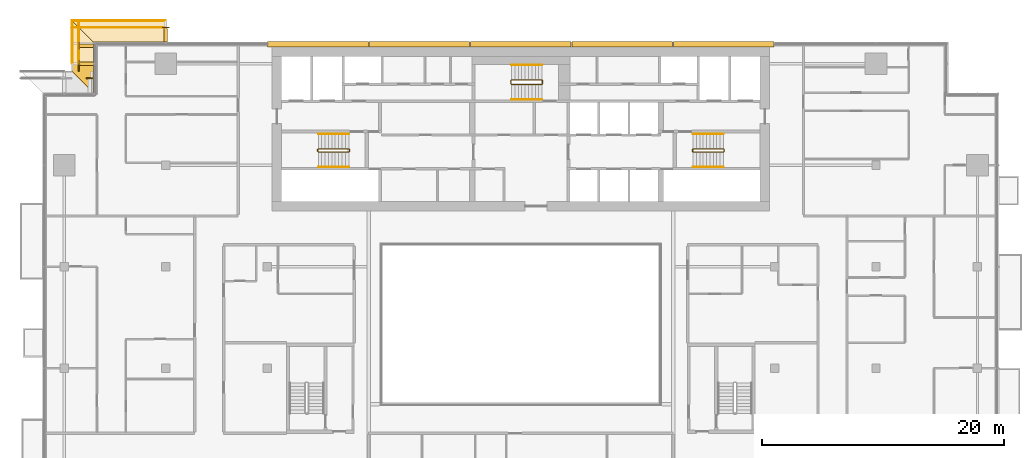
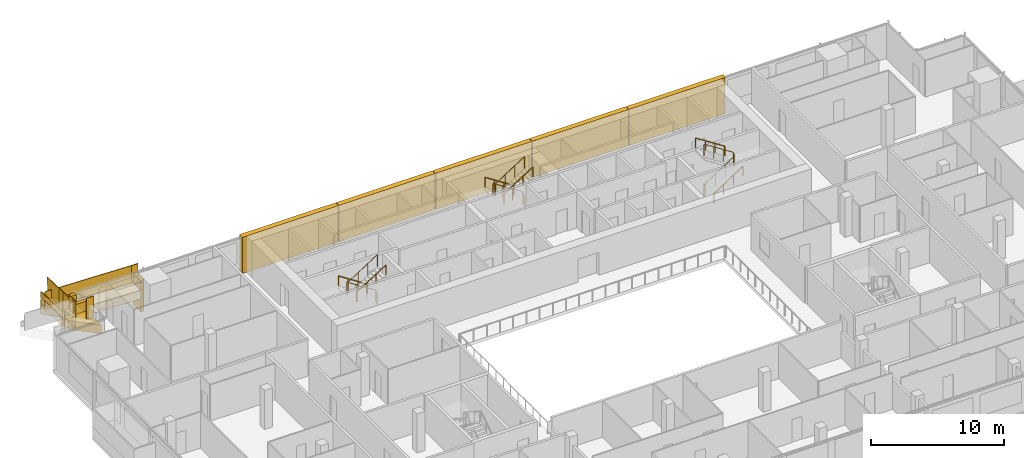
# One storey, part 27 of 30: 16 railings, 13 coverings.
"""IFC4 building model written with IfcOpenShell, lengths in metres."""

from ifc_helpers import new_model, si_unit, direction, frame, origin, origin_2d, place, context, subcontext, project, spatial, polyline, rectangle, circle, outline, extrude, material, layer, layer_set, type_object, element, save


model = new_model("IFC4")

# Units and contexts
model_context = context("Model", 3, precision=1e-05, world=origin(), true_north=direction((0.0, 1.0)))
body_context = subcontext(model_context, "Body", "Model", "MODEL_VIEW")
ifc_project = project(units=[si_unit("LENGTHUNIT", "METRE"), si_unit("AREAUNIT", "SQUARE_METRE"), si_unit("VOLUMEUNIT", "CUBIC_METRE"), si_unit("PLANEANGLEUNIT", "RADIAN"), si_unit("MASSUNIT", "GRAM", prefix="KILO")], contexts=[model_context])

# Site, building, storey
site_placement = place(None, origin())
site = spatial("IfcSite", under=ifc_project, at=site_placement, CompositionType="ELEMENT")
building_placement = place(site_placement, origin())
building = spatial("IfcBuilding", under=site, at=building_placement, Name="Saffron Gate Tower", CompositionType="ELEMENT")
storey_placement = place(building_placement, frame((0.0, 0.0, 158.25)))
storey = spatial("IfcBuildingStorey", under=building, at=storey_placement, Name="L38", CompositionType="ELEMENT", Elevation=158.25)

# Coverings
ifc_material_1 = material(Name="Ceramic-printed bronze insulated panel")
ifc_layer_1 = layer(ifc_material_1, 0.43994140625)
ifc_layer_set_1 = layer_set([ifc_layer_1], Name="CLD3 ceramic-printed cladding panel 440")
covering_type_1 = type_object("IfcCoveringType", Name="CLD3 ceramic-printed cladding panel 440", PredefinedType="CLADDING", material=ifc_layer_set_1)
covering_1_placement = place(storey_placement, origin())
element("IfcCovering", 1, at=covering_1_placement, inside=storey, type_object=covering_type_1, Name="CLADDING ceramic-printed panel", PredefinedType="CLADDING", context=body_context, shape_type="SweptSolid", body=[
    extrude(outline(polyline([(108.56494140625, 75.639892578125), (100.235107421875, 75.639892578125), (100.235107421875, 75.199951171875), (108.56494140625, 75.199951171875), (108.56494140625, 75.639892578125)])), origin(), (0.0, 0.0, 1.0), 3.320068359375),
])
covering_2_placement = place(storey_placement, origin())
element("IfcCovering", 2, at=covering_2_placement, inside=storey, type_object=covering_type_1, Name="CLADDING ceramic-printed panel", PredefinedType="CLADDING", context=body_context, shape_type="SweptSolid", body=[
    extrude(outline(polyline([(100.1650390625, 75.639892578125), (91.8349609375, 75.639892578125), (91.8349609375, 75.199951171875), (100.1650390625, 75.199951171875), (100.1650390625, 75.639892578125)])), origin(), (0.0, 0.0, 1.0), 3.320068359375),
])
covering_3_placement = place(storey_placement, origin())
element("IfcCovering", 3, at=covering_3_placement, inside=storey, type_object=covering_type_1, Name="CLADDING ceramic-printed panel", PredefinedType="CLADDING", context=body_context, shape_type="SweptSolid", body=[
    extrude(outline(polyline([(91.764892578125, 75.639892578125), (83.43505859375, 75.639892578125), (83.43505859375, 75.199951171875), (91.764892578125, 75.199951171875), (91.764892578125, 75.639892578125)])), origin(), (0.0, 0.0, 1.0), 3.320068359375),
])
covering_4_placement = place(storey_placement, origin())
element("IfcCovering", 4, at=covering_4_placement, inside=storey, type_object=covering_type_1, Name="CLADDING ceramic-printed panel", PredefinedType="CLADDING", context=body_context, shape_type="SweptSolid", body=[
    extrude(outline(polyline([(83.364990234375, 75.639892578125), (75.034912109375, 75.639892578125), (75.034912109375, 75.199951171875), (83.364990234375, 75.199951171875), (83.364990234375, 75.639892578125)])), origin(), (0.0, 0.0, 1.0), 3.320068359375),
])
covering_5_placement = place(storey_placement, origin())
element("IfcCovering", 5, at=covering_5_placement, inside=storey, type_object=covering_type_1, Name="CLADDING ceramic-printed panel", PredefinedType="CLADDING", context=body_context, shape_type="SweptSolid", body=[
    extrude(outline(polyline([(74.965087890625, 75.639892578125), (66.635009765625, 75.639892578125), (66.635009765625, 75.199951171875), (74.965087890625, 75.199951171875), (74.965087890625, 75.639892578125)])), origin(), (0.0, 0.0, 1.0), 3.320068359375),
])

# Railings
ifc_material_2 = material(Name="Stainless steel and laminated glass", Category="steel")
railing_type_1 = type_object("IfcRailingType", Name="CR1 Stair guard 1100", PredefinedType="GUARDRAIL", material=ifc_material_2)
railing_1_placement = place(storey_placement, frame((73.39990234375, 66.550048828125, 0.0)))
element("IfcRailing", 6, at=railing_1_placement, inside=storey, type_object=railing_type_1, Name="L38 ST-A stair guard 1", PredefinedType="GUARDRAIL", context=body_context, shape_type="SweptSolid", body=[
    extrude(circle(Radius=0.02392578125, at=origin_2d()), frame((0.0, 0.0, 1.076171875), z_axis=(0.0, 1.0, 0.0), x_axis=(-1.0, 0.0, 0.0)), (0.0, 0.0, 1.0), 0.14990234375),
    extrude(circle(Radius=0.02392578125, at=origin_2d()), frame((0.0, 0.14990234375, 1.076171875), z_axis=(-0.257669022063, 0.258932105505, 0.930892496375), x_axis=(-0.708833529934, -0.705375805398, 0.0)), (0.0, 0.0, 1.0), 0.193359375),
    extrude(circle(Radius=0.02392578125, at=origin_2d()), frame((-0.0498046875, 0.199951171875, 1.255859375), z_axis=(-0.841162588446, 0.0, 0.540782303519), x_axis=(0.0, -1.0, 0.0)), (0.0, 0.0, 1.0), 2.995849609375),
    extrude(circle(Radius=0.02392578125, at=origin_2d()), frame((-2.56982421875, 0.199951171875, 2.8759765625), z_axis=(-0.707106781187, -0.707106781187, 0.0), x_axis=(0.707106781187, -0.707106781187, 0.0)), (0.0, 0.0, 1.0), 0.07080078125),
    extrude(circle(Radius=0.02392578125, at=origin_2d()), frame((-2.619873046875, 0.14990234375, 2.8759765625), z_axis=(0.0, -1.0, 0.0), x_axis=(1.0, 0.0, 0.0)), (0.0, 0.0, 1.0), 0.14990234375),
    extrude(circle(Radius=0.02392578125, at=origin_2d()), frame((-2.619873046875, 0.0, 2.8759765625), z_axis=(0.258847668887, -0.258847668887, 0.930588936439), x_axis=(0.707106781187, 0.707106781187, 0.0)), (0.0, 0.0, 1.0), 0.193359375),
    extrude(circle(Radius=0.02392578125, at=origin_2d()), frame((-2.56982421875, -0.050048828125, 3.05615234375), z_axis=(0.841162588446, 0.0, 0.540782303519), x_axis=(0.0, 1.0, 0.0)), (0.0, 0.0, 1.0), 2.995849609375),
    extrude(circle(Radius=0.02099609375, at=origin_2d()), origin(), (0.0, 0.0, 1.0), 1.052001953125),
    extrude(circle(Radius=0.02099609375, at=origin_2d()), frame((0.0, 0.14990234375, 0.0)), (0.0, 0.0, 1.0), 1.052001953125),
    extrude(circle(Radius=0.02099609375, at=origin_2d()), frame((-0.0498046875, 0.199951171875, 0.179931640625)), (0.0, 0.0, 1.0), 1.052001953125),
    extrude(circle(Radius=0.02099609375, at=origin_2d()), frame((-0.889892578125, 0.199951171875, 0.719970703125)), (0.0, 0.0, 1.0), 1.052001953125),
    extrude(circle(Radius=0.02099609375, at=origin_2d()), frame((-1.729736328125, 0.199951171875, 1.260009765625)), (0.0, 0.0, 1.0), 1.052001953125),
    extrude(circle(Radius=0.02099609375, at=origin_2d()), frame((-2.56982421875, 0.199951171875, 1.800048828125)), (0.0, 0.0, 1.0), 1.052001953125),
    extrude(circle(Radius=0.02099609375, at=origin_2d()), frame((-2.619873046875, 0.14990234375, 1.800048828125)), (0.0, 0.0, 1.0), 1.052001953125),
    extrude(circle(Radius=0.02099609375, at=origin_2d()), frame((-2.619873046875, 0.0, 1.800048828125)), (0.0, 0.0, 1.0), 1.052001953125),
    extrude(circle(Radius=0.02099609375, at=origin_2d()), frame((-2.56982421875, -0.050048828125, 1.97998046875)), (0.0, 0.0, 1.0), 1.052001953125),
    extrude(circle(Radius=0.02099609375, at=origin_2d()), frame((-1.729736328125, -0.050048828125, 2.52001953125)), (0.0, 0.0, 1.0), 1.052001953125),
    extrude(circle(Radius=0.02099609375, at=origin_2d()), frame((-0.889892578125, -0.050048828125, 3.06005859375)), (0.0, 0.0, 1.0), 1.052001953125),
    extrude(circle(Radius=0.02099609375, at=origin_2d()), frame((-0.0498046875, -0.050048828125, 3.60009765625)), (0.0, 0.0, 1.0), 1.052001953125),
])
railing_2_placement = place(storey_placement, frame((101.800048828125, 66.699951171875, 0.0)))
element("IfcRailing", 7, at=railing_2_placement, inside=storey, type_object=railing_type_1, Name="L38 ST-B stair guard 1", PredefinedType="GUARDRAIL", context=body_context, shape_type="SweptSolid", body=[
    extrude(circle(Radius=0.02392578125, at=origin_2d()), frame((0.0, 0.0, 1.076171875), z_axis=(0.0, -1.0, 0.0), x_axis=(1.0, 0.0, 0.0)), (0.0, 0.0, 1.0), 0.14990234375),
    extrude(circle(Radius=0.02392578125, at=origin_2d()), frame((0.0, -0.14990234375, 1.076171875), z_axis=(0.258847668887, -0.258847668887, 0.930588936439), x_axis=(0.707106781187, 0.707106781187, 0.0)), (0.0, 0.0, 1.0), 0.193359375),
    extrude(circle(Radius=0.02392578125, at=origin_2d()), frame((0.050048828125, -0.199951171875, 1.255859375), z_axis=(0.841162588446, 0.0, 0.540782303519), x_axis=(0.0, 1.0, 0.0)), (0.0, 0.0, 1.0), 2.995849609375),
    extrude(circle(Radius=0.02392578125, at=origin_2d()), frame((2.570068359375, -0.199951171875, 2.8759765625), z_axis=(0.705375805398, 0.708833529934, 0.0), x_axis=(-0.708833529934, 0.705375805398, 0.0)), (0.0, 0.0, 1.0), 0.070556640625),
    extrude(circle(Radius=0.02392578125, at=origin_2d()), frame((2.619873046875, -0.14990234375, 2.8759765625), z_axis=(0.0, 1.0, 0.0), x_axis=(-1.0, 0.0, 0.0)), (0.0, 0.0, 1.0), 0.14990234375),
    extrude(circle(Radius=0.02392578125, at=origin_2d()), frame((2.619873046875, 0.0, 2.8759765625), z_axis=(-0.257669022063, 0.258932105505, 0.930892496375), x_axis=(-0.708833529934, -0.705375805398, 0.0)), (0.0, 0.0, 1.0), 0.193359375),
    extrude(circle(Radius=0.02392578125, at=origin_2d()), frame((2.570068359375, 0.050048828125, 3.05615234375), z_axis=(-0.841162588446, 0.0, 0.540782303519), x_axis=(0.0, -1.0, 0.0)), (0.0, 0.0, 1.0), 2.995849609375),
    extrude(circle(Radius=0.02099609375, at=origin_2d()), origin(), (0.0, 0.0, 1.0), 1.052001953125),
    extrude(circle(Radius=0.02099609375, at=origin_2d()), frame((0.0, -0.14990234375, 0.0)), (0.0, 0.0, 1.0), 1.052001953125),
    extrude(circle(Radius=0.02099609375, at=origin_2d()), frame((0.050048828125, -0.199951171875, 0.179931640625)), (0.0, 0.0, 1.0), 1.052001953125),
    extrude(circle(Radius=0.02099609375, at=origin_2d()), frame((0.89013671875, -0.199951171875, 0.719970703125)), (0.0, 0.0, 1.0), 1.052001953125),
    extrude(circle(Radius=0.02099609375, at=origin_2d()), frame((1.72998046875, -0.199951171875, 1.260009765625)), (0.0, 0.0, 1.0), 1.052001953125),
    extrude(circle(Radius=0.02099609375, at=origin_2d()), frame((2.570068359375, -0.199951171875, 1.800048828125)), (0.0, 0.0, 1.0), 1.052001953125),
    extrude(circle(Radius=0.02099609375, at=origin_2d()), frame((2.619873046875, -0.14990234375, 1.800048828125)), (0.0, 0.0, 1.0), 1.052001953125),
    extrude(circle(Radius=0.02099609375, at=origin_2d()), frame((2.619873046875, 0.0, 1.800048828125)), (0.0, 0.0, 1.0), 1.052001953125),
    extrude(circle(Radius=0.02099609375, at=origin_2d()), frame((2.570068359375, 0.050048828125, 1.97998046875)), (0.0, 0.0, 1.0), 1.052001953125),
    extrude(circle(Radius=0.02099609375, at=origin_2d()), frame((1.72998046875, 0.050048828125, 2.52001953125)), (0.0, 0.0, 1.0), 1.052001953125),
    extrude(circle(Radius=0.02099609375, at=origin_2d()), frame((0.89013671875, 0.050048828125, 3.06005859375)), (0.0, 0.0, 1.0), 1.052001953125),
    extrude(circle(Radius=0.02099609375, at=origin_2d()), frame((0.050048828125, 0.050048828125, 3.60009765625)), (0.0, 0.0, 1.0), 1.052001953125),
])
railing_3_placement = place(storey_placement, frame((89.39990234375, 72.14990234375, 0.0)))
element("IfcRailing", 8, at=railing_3_placement, inside=storey, type_object=railing_type_1, Name="L38 ST-C stair guard 1", PredefinedType="GUARDRAIL", context=body_context, shape_type="SweptSolid", body=[
    extrude(circle(Radius=0.02392578125, at=origin_2d()), frame((0.0, 0.0, 1.076171875), z_axis=(0.0, 1.0, 0.0), x_axis=(-1.0, 0.0, 0.0)), (0.0, 0.0, 1.0), 0.25),
    extrude(circle(Radius=0.02392578125, at=origin_2d()), frame((0.0, 0.25, 1.076171875), z_axis=(-0.257669022063, 0.258932105505, 0.930892496375), x_axis=(-0.708833529934, -0.705375805398, 0.0)), (0.0, 0.0, 1.0), 0.193359375),
    extrude(circle(Radius=0.02392578125, at=origin_2d()), frame((-0.0498046875, 0.300048828125, 1.255859375), z_axis=(-0.841162588446, 0.0, 0.540782303519), x_axis=(0.0, -1.0, 0.0)), (0.0, 0.0, 1.0), 2.995849609375),
    extrude(circle(Radius=0.02392578125, at=origin_2d()), frame((-2.56982421875, 0.300048828125, 2.8759765625), z_axis=(-0.707106781187, -0.707106781187, 0.0), x_axis=(0.707106781187, -0.707106781187, 0.0)), (0.0, 0.0, 1.0), 0.07080078125),
    extrude(circle(Radius=0.02392578125, at=origin_2d()), frame((-2.619873046875, 0.25, 2.8759765625), z_axis=(0.0, -1.0, 0.0), x_axis=(1.0, 0.0, 0.0)), (0.0, 0.0, 1.0), 0.25),
    extrude(circle(Radius=0.02392578125, at=origin_2d()), frame((-2.619873046875, 0.0, 2.8759765625), z_axis=(0.258932105505, -0.257669022063, 0.930892496375), x_axis=(0.705375805398, 0.708833529934, 0.0)), (0.0, 0.0, 1.0), 0.193359375),
    extrude(circle(Radius=0.02392578125, at=origin_2d()), frame((-2.56982421875, -0.0498046875, 3.05615234375), z_axis=(0.841162588446, 0.0, 0.540782303519), x_axis=(0.0, 1.0, 0.0)), (0.0, 0.0, 1.0), 2.995849609375),
    extrude(circle(Radius=0.02099609375, at=origin_2d()), origin(), (0.0, 0.0, 1.0), 1.052001953125),
    extrude(circle(Radius=0.02099609375, at=origin_2d()), frame((0.0, 0.25, 0.0)), (0.0, 0.0, 1.0), 1.052001953125),
    extrude(circle(Radius=0.02099609375, at=origin_2d()), frame((-0.0498046875, 0.300048828125, 0.179931640625)), (0.0, 0.0, 1.0), 1.052001953125),
    extrude(circle(Radius=0.02099609375, at=origin_2d()), frame((-0.889892578125, 0.300048828125, 0.719970703125)), (0.0, 0.0, 1.0), 1.052001953125),
    extrude(circle(Radius=0.02099609375, at=origin_2d()), frame((-1.729736328125, 0.300048828125, 1.260009765625)), (0.0, 0.0, 1.0), 1.052001953125),
    extrude(circle(Radius=0.02099609375, at=origin_2d()), frame((-2.56982421875, 0.300048828125, 1.800048828125)), (0.0, 0.0, 1.0), 1.052001953125),
    extrude(circle(Radius=0.02099609375, at=origin_2d()), frame((-2.619873046875, 0.25, 1.800048828125)), (0.0, 0.0, 1.0), 1.052001953125),
    extrude(circle(Radius=0.02099609375, at=origin_2d()), frame((-2.619873046875, 0.0, 1.800048828125)), (0.0, 0.0, 1.0), 1.052001953125),
    extrude(circle(Radius=0.02099609375, at=origin_2d()), frame((-2.56982421875, -0.0498046875, 1.97998046875)), (0.0, 0.0, 1.0), 1.052001953125),
    extrude(circle(Radius=0.02099609375, at=origin_2d()), frame((-1.729736328125, -0.0498046875, 2.52001953125)), (0.0, 0.0, 1.0), 1.052001953125),
    extrude(circle(Radius=0.02099609375, at=origin_2d()), frame((-0.889892578125, -0.0498046875, 3.06005859375)), (0.0, 0.0, 1.0), 1.052001953125),
    extrude(circle(Radius=0.02099609375, at=origin_2d()), frame((-0.0498046875, -0.0498046875, 3.60009765625)), (0.0, 0.0, 1.0), 1.052001953125),
])
ifc_material_3 = material(Name="Stainless steel", Category="steel")
railing_type_2 = type_object("IfcRailingType", Name="CR2 Stair handrail 900", PredefinedType="HANDRAIL", material=ifc_material_3)
railing_4_placement = place(storey_placement, frame((73.35009765625, 68.0, 0.179931640625)))
element("IfcRailing", 9, at=railing_4_placement, inside=storey, type_object=railing_type_2, Name="L38 ST-A stair handrail 1", PredefinedType="HANDRAIL", context=body_context, shape_type="SweptSolid", body=[
    extrude(circle(Radius=0.02392578125, at=origin_2d()), frame((0.0, 0.0, 0.8759765625), z_axis=(-0.841162588446, 0.0, 0.540782303519), x_axis=(0.0, -1.0, 0.0)), (0.0, 0.0, 1.0), 2.995849609375),
    extrude(circle(Radius=0.02099609375, at=origin_2d()), origin(), (0.0, 0.0, 1.0), 0.851806640625),
    extrude(circle(Radius=0.02099609375, at=origin_2d()), frame((-0.840087890625, 0.0, 0.5400390625)), (0.0, 0.0, 1.0), 0.851806640625),
    extrude(circle(Radius=0.02099609375, at=origin_2d()), frame((-1.679931640625, 0.0, 1.080078125)), (0.0, 0.0, 1.0), 0.851806640625),
    extrude(circle(Radius=0.02099609375, at=origin_2d()), frame((-2.52001953125, 0.0, 1.6201171875)), (0.0, 0.0, 1.0), 0.851806640625),
])
for number, where, name in (
    (10, (70.830078125, 65.25, 1.97998046875), "L38 ST-A stair handrail 2"),
    (11, (101.85009765625, 65.25, 0.179931640625), "L38 ST-B stair handrail 1"),
):
    element("IfcRailing", number, at=place(storey_placement, frame(where)), inside=storey, type_object=railing_type_2, Name=name, PredefinedType="HANDRAIL", context=body_context, shape_type="SweptSolid", body=[
        extrude(circle(Radius=0.02392578125, at=origin_2d()), frame((0.0, 0.0, 0.8759765625), z_axis=(0.841162588446, 0.0, 0.540782303519), x_axis=(0.0, 1.0, 0.0)), (0.0, 0.0, 1.0), 2.995849609375),
        extrude(circle(Radius=0.02099609375, at=origin_2d()), origin(), (0.0, 0.0, 1.0), 0.851806640625),
        extrude(circle(Radius=0.02099609375, at=origin_2d()), frame((0.840087890625, 0.0, 0.5400390625)), (0.0, 0.0, 1.0), 0.851806640625),
        extrude(circle(Radius=0.02099609375, at=origin_2d()), frame((1.679931640625, 0.0, 1.080078125)), (0.0, 0.0, 1.0), 0.851806640625),
        extrude(circle(Radius=0.02099609375, at=origin_2d()), frame((2.52001953125, 0.0, 1.6201171875)), (0.0, 0.0, 1.0), 0.851806640625),
    ])
for number, where, name in (
    (12, (104.3701171875, 68.0, 1.97998046875), "L38 ST-B stair handrail 2"),
    (13, (89.35009765625, 73.699951171875, 0.179931640625), "L38 ST-C stair handrail 1"),
):
    element("IfcRailing", number, at=place(storey_placement, frame(where)), inside=storey, type_object=railing_type_2, Name=name, PredefinedType="HANDRAIL", context=body_context, shape_type="SweptSolid", body=[
        extrude(circle(Radius=0.02392578125, at=origin_2d()), frame((0.0, 0.0, 0.8759765625), z_axis=(-0.841162588446, 0.0, 0.540782303519), x_axis=(0.0, -1.0, 0.0)), (0.0, 0.0, 1.0), 2.995849609375),
        extrude(circle(Radius=0.02099609375, at=origin_2d()), origin(), (0.0, 0.0, 1.0), 0.851806640625),
        extrude(circle(Radius=0.02099609375, at=origin_2d()), frame((-0.840087890625, 0.0, 0.5400390625)), (0.0, 0.0, 1.0), 0.851806640625),
        extrude(circle(Radius=0.02099609375, at=origin_2d()), frame((-1.679931640625, 0.0, 1.080078125)), (0.0, 0.0, 1.0), 0.851806640625),
        extrude(circle(Radius=0.02099609375, at=origin_2d()), frame((-2.52001953125, 0.0, 1.6201171875)), (0.0, 0.0, 1.0), 0.851806640625),
    ])
railing_5_placement = place(storey_placement, frame((86.830078125, 70.85009765625, 1.97998046875)))
element("IfcRailing", 14, at=railing_5_placement, inside=storey, type_object=railing_type_2, Name="L38 ST-C stair handrail 2", PredefinedType="HANDRAIL", context=body_context, shape_type="SweptSolid", body=[
    extrude(circle(Radius=0.02392578125, at=origin_2d()), frame((0.0, 0.0, 0.8759765625), z_axis=(0.841162588446, 0.0, 0.540782303519), x_axis=(0.0, 1.0, 0.0)), (0.0, 0.0, 1.0), 2.995849609375),
    extrude(circle(Radius=0.02099609375, at=origin_2d()), origin(), (0.0, 0.0, 1.0), 0.851806640625),
    extrude(circle(Radius=0.02099609375, at=origin_2d()), frame((0.840087890625, 0.0, 0.5400390625)), (0.0, 0.0, 1.0), 0.851806640625),
    extrude(circle(Radius=0.02099609375, at=origin_2d()), frame((1.679931640625, 0.0, 1.080078125)), (0.0, 0.0, 1.0), 0.851806640625),
    extrude(circle(Radius=0.02099609375, at=origin_2d()), frame((2.52001953125, 0.0, 1.6201171875)), (0.0, 0.0, 1.0), 0.851806640625),
])

# Coverings
ifc_material_4 = material(Name="Timber, thermally modified ash", Category="wood")
ifc_layer_2 = layer(ifc_material_4, 0.800048828125)
ifc_layer_set_2 = layer_set([ifc_layer_2], Name="LD1 ledge timber")
covering_type_2 = type_object("IfcCoveringType", Name="LD1 ledge timber", PredefinedType="CLADDING", material=ifc_layer_set_2)
covering_6_placement = place(storey_placement, frame((58.199951171875, 75.60009765625, 1.2265625), z_axis=(0.028789477025, 2.3920834e-05, 0.999585496814), x_axis=(-0.9995854971, -1.72e-10, 0.028789477033)))
element("IfcCovering", 15, at=covering_6_placement, inside=storey, type_object=covering_type_2, Name="LEDGE", PredefinedType="CLADDING", context=body_context, shape_type="SweptSolid", body=[
    extrude(outline(polyline([(0.0, 0.0), (6.002489288687248, 8.470329472543003e-22), (7.80328207139786, -1.7998046893537554), (-3.087962377470193e-10, -1.7998046869850703), (0.0, 0.0)])), origin(), (0.0, 0.0, -1.0), 0.800048828125),
])
covering_7_placement = place(storey_placement, frame((52.199951171875, 75.60009765625, 2.2568359375), z_axis=(-1.29947e-06, 0.028742979799, 0.999586835203), x_axis=(-2e-12, -0.999586835204, 0.028742979799)))
element("IfcCovering", 16, at=covering_7_placement, inside=storey, type_object=covering_type_2, Name="LEDGE", PredefinedType="CLADDING", context=body_context, shape_type="SweptSolid", body=[
    extrude(outline(polyline([(0.0, 0.0), (1.8007927850764784, 0.0), (1.800792785079517, -1.8000488281234803), (-1.8005487453187516, -1.8000488281325988), (0.0, 0.0)])), origin(), (0.0, 0.0, -1.0), 0.800048828125),
])
covering_8_placement = place(storey_placement, frame((52.199951171875, 73.800048828125, 2.56591796875), z_axis=(2.6333678e-05, 0.028794305201, 0.999585357683), x_axis=(5.2e-10, -0.99958535803, 0.028794305211)))
element("IfcCovering", 17, at=covering_8_placement, inside=storey, type_object=covering_type_2, Name="LEDGE", PredefinedType="CLADDING", context=body_context, shape_type="SweptSolid", body=[
    extrude(outline(polyline([(0.0, 0.0), (2.401140733194568, 0.0), (0.6003479496762917, -1.8000488290612322), (-9.357805408281585e-10, -1.8000488275008664), (0.0, 0.0)])), origin(), (0.0, 0.0, -1.0), 0.800048828125),
])
ifc_layer_3 = layer(ifc_material_4, 0.080078125)
ifc_layer_set_3 = layer_set([ifc_layer_3], Name="LD2 ledge planter trough")
covering_type_3 = type_object("IfcCoveringType", Name="LD2 ledge planter trough", PredefinedType="CLADDING", material=ifc_layer_set_3)
covering_9_placement = place(storey_placement, frame((58.199951171875, 77.39990234375, 1.2265625), z_axis=(0.0, 1.0, 0.0), x_axis=(-0.999585655924, 0.0, 0.028783962047)))
element("IfcCovering", 18, at=covering_9_placement, inside=storey, type_object=covering_type_3, Name="LEDGE planter trough", PredefinedType="CLADDING", context=body_context, shape_type="SweptSolid", body=[
    extrude(outline(polyline([(0.0, 0.0), (7.803282071825423, 2.7755575615628914e-17), (7.817674052849086, 0.4997928279619612), (0.014391981023662846, 0.4997928279619612), (0.0, 0.0)])), origin(), (0.0, 0.0, -1.0), 0.080078125),
])
covering_10_placement = place(storey_placement, frame((50.39990234375, 77.39990234375, 2.205078125), z_axis=(-1.0, 0.0, 0.0), x_axis=(0.0, -0.999586816534, 0.028743629041)))
element("IfcCovering", 19, at=covering_10_placement, inside=storey, type_object=covering_type_3, Name="LEDGE planter trough", PredefinedType="CLADDING", context=body_context, shape_type="SweptSolid", body=[
    extrude(outline(polyline([(0.0, 0.0), (3.6013415303990284, 0.0), (3.615713344919565, 0.4997934082672433), (0.01437181452053653, 0.4997934082672433), (0.0, 0.0)])), origin(), (0.0, 0.0, -1.0), 0.080078125),
])
ifc_layer_4 = layer(ifc_material_4, 0.300048828125)
ifc_layer_set_4 = layer_set([ifc_layer_4], Name="LD3 ledge riser fin")
covering_type_4 = type_object("IfcCoveringType", Name="LD3 ledge riser fin", PredefinedType="CLADDING", material=ifc_layer_set_4)
covering_11_placement = place(storey_placement, frame((58.199951171875, 76.159912109375, -0.773681640625), z_axis=(0.0, 0.0, 1.0), x_axis=(-1.0, 0.0, 0.0)))
element("IfcCovering", 20, at=covering_11_placement, inside=storey, type_object=covering_type_4, Name="LEDGE riser fin", PredefinedType="CLADDING", context=body_context, shape_type="SweptSolid", body=[
    extrude(rectangle(XDim=0.300048828125, YDim=1.1201171875, at=origin_2d()), origin(), (0.0, 0.0, 1.0), 2.900390625),
])
covering_12_placement = place(storey_placement, frame((51.639892578125, 75.300048828125, 0.599609375), z_axis=(0.0, 0.0, 1.0), x_axis=(0.0, -1.0, 0.0)))
element("IfcCovering", 21, at=covering_12_placement, inside=storey, type_object=covering_type_4, Name="LEDGE riser fin", PredefinedType="CLADDING", context=body_context, shape_type="SweptSolid", body=[
    extrude(rectangle(XDim=0.300048828125, YDim=1.1201171875, at=origin_2d()), origin(), (0.0, 0.0, 1.0), 2.557373046875),
])
covering_13_placement = place(storey_placement, frame((51.639892578125, 73.800048828125, 1.5087890625), z_axis=(0.0, 0.0, 1.0), x_axis=(0.0, -1.0, 0.0)))
element("IfcCovering", 22, at=covering_13_placement, inside=storey, type_object=covering_type_4, Name="LEDGE riser fin", PredefinedType="CLADDING", context=body_context, shape_type="SweptSolid", body=[
    extrude(rectangle(XDim=0.300048828125, YDim=1.1201171875, at=origin_2d()), origin(), (0.0, 0.0, 1.0), 1.957275390625),
])

# Railings
railing_type_3 = type_object("IfcRailingType", Name="LG1 ledge balustrade", PredefinedType="BALUSTRADE", material=ifc_material_4)
railing_6_placement = place(storey_placement, frame((58.199951171875, 76.800048828125, 1.2265625)))
element("IfcRailing", 23, at=railing_6_placement, inside=storey, type_object=railing_type_3, Name="LEDGE BALUSTRADE", PredefinedType="BALUSTRADE", context=body_context, shape_type="SweptSolid", body=[
    extrude(rectangle(XDim=0.06005859375, YDim=1.60009765625, at=origin_2d()), frame((0.0, 0.0, 0.800048828125), z_axis=(-0.999585655924, 0.0, 0.028783962047), x_axis=(0.0, -1.0, 0.0)), (0.0, 0.0, 1.0), 7.80322265625),
])
railing_7_placement = place(storey_placement, frame((58.5, 76.800048828125, 0.026123046875)))
element("IfcRailing", 24, at=railing_7_placement, inside=storey, type_object=railing_type_3, Name="LEDGE BALUSTRADE", PredefinedType="BALUSTRADE", context=body_context, shape_type="SweptSolid", body=[
    extrude(rectangle(XDim=0.06005859375, YDim=2.80029296875, at=origin_2d()), frame((0.0, 0.0, 1.400146484375), z_axis=(-1.0, 0.0, 0.0), x_axis=(0.0, -1.0, 0.0)), (0.0, 0.0, 1.0), 0.60009765625),
])
railing_8_placement = place(storey_placement, frame((51.0, 77.39990234375, 2.205078125)))
element("IfcRailing", 25, at=railing_8_placement, inside=storey, type_object=railing_type_3, Name="LEDGE BALUSTRADE", PredefinedType="BALUSTRADE", context=body_context, shape_type="SweptSolid", body=[
    extrude(rectangle(XDim=0.06005859375, YDim=1.60009765625, at=origin_2d()), frame((0.0, 0.0, 0.800048828125), z_axis=(0.0, -0.999586816534, 0.028743629041), x_axis=(1.0, 0.0, 0.0)), (0.0, 0.0, 1.0), 3.601318359375),
])
railing_9_placement = place(storey_placement, frame((51.0, 75.60009765625, 1.3994140625)))
element("IfcRailing", 26, at=railing_9_placement, inside=storey, type_object=railing_type_3, Name="LEDGE BALUSTRADE", PredefinedType="BALUSTRADE", context=body_context, shape_type="SweptSolid", body=[
    extrude(rectangle(XDim=0.06005859375, YDim=2.45751953125, at=origin_2d()), frame((0.0, 0.0, 1.228759765625), z_axis=(0.0, -1.0, 0.0), x_axis=(1.0, 0.0, 0.0)), (0.0, 0.0, 1.0), 0.60009765625),
])
railing_10_placement = place(storey_placement, frame((51.0, 73.800048828125, 2.56591796875)))
element("IfcRailing", 27, at=railing_10_placement, inside=storey, type_object=railing_type_3, Name="LEDGE BALUSTRADE", PredefinedType="BALUSTRADE", context=body_context, shape_type="SweptSolid", body=[
    extrude(rectangle(XDim=0.06005859375, YDim=1.60009765625, at=origin_2d()), frame((0.0, 0.0, 0.800048828125), z_axis=(0.0, -0.999583081391, 0.028873229772), x_axis=(1.0, 0.0, 0.0)), (0.0, 0.0, 1.0), 0.600341796875),
])
railing_11_placement = place(storey_placement, frame((51.0, 74.10009765625, 2.30859375)))
element("IfcRailing", 28, at=railing_11_placement, inside=storey, type_object=railing_type_3, Name="LEDGE BALUSTRADE", PredefinedType="BALUSTRADE", context=body_context, shape_type="SweptSolid", body=[
    extrude(rectangle(XDim=0.06005859375, YDim=1.857177734375, at=origin_2d()), frame((0.0, 0.0, 0.9287109375), z_axis=(0.0, -1.0, 0.0), x_axis=(1.0, 0.0, 0.0)), (0.0, 0.0, 1.0), 0.60009765625),
])
railing_12_placement = place(storey_placement, frame((52.199951171875, 72.60009765625, 2.635009765625)))
element("IfcRailing", 29, at=railing_12_placement, inside=storey, type_object=railing_type_3, Name="LEDGE BALUSTRADE", PredefinedType="BALUSTRADE", context=body_context, shape_type="SweptSolid", body=[
    extrude(rectangle(XDim=0.06005859375, YDim=1.943115234375, at=origin_2d()), frame((0.0, 0.0, 0.9716796875), z_axis=(-1.0, 0.0, 0.0), x_axis=(0.0, -1.0, 0.0)), (0.0, 0.0, 1.0), 0.599853515625),
])

save(model, "model.ifc")
